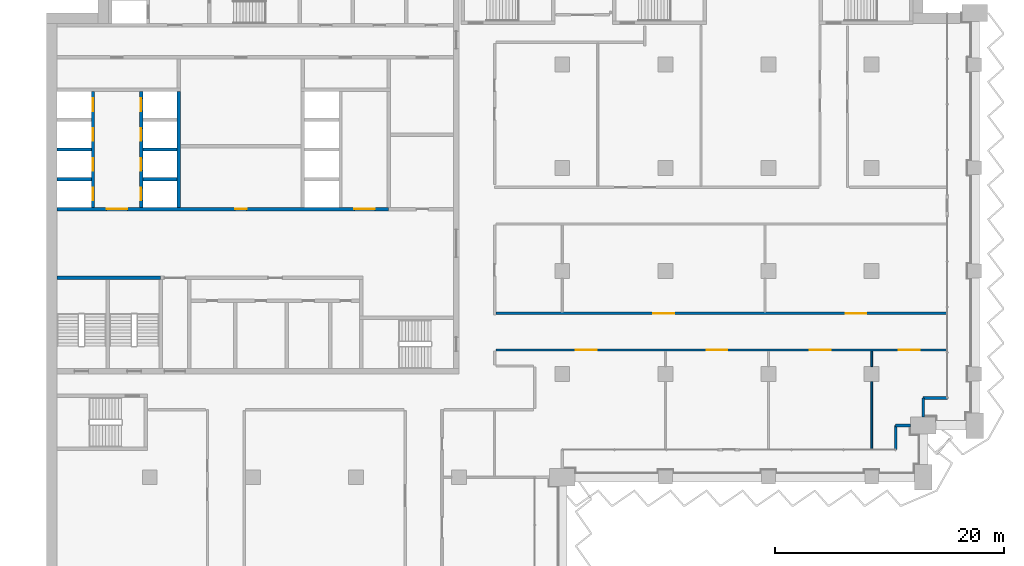
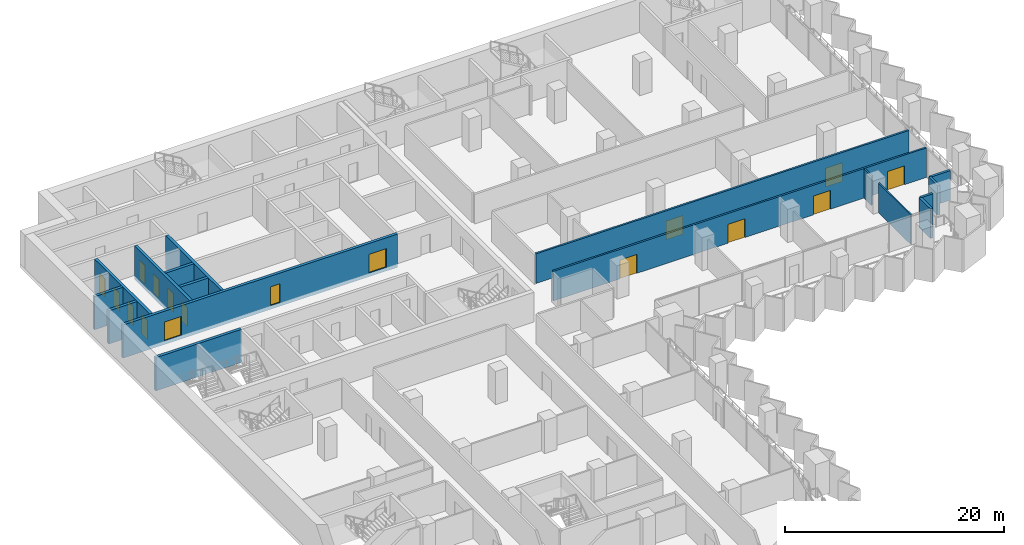
# One storey, part 12 of 23: 17 doors, 17 walls, 17 openings.
"""IFC4 building model written with IfcOpenShell, lengths in metres."""

from ifc_helpers import new_model, si_unit, direction, frame, frame_2d, origin, place, context, subcontext, project, spatial, rectangle, extrude, material, layer, layer_set, type_object, element, fill, save


model = new_model("IFC4")

# Units and contexts
model_context = context("Model", 3, precision=1e-05, world=origin(), true_north=direction((0.0, 1.0)))
body_context = subcontext(model_context, "Body", "Model", "MODEL_VIEW")
ifc_project = project(units=[si_unit("LENGTHUNIT", "METRE"), si_unit("AREAUNIT", "SQUARE_METRE"), si_unit("VOLUMEUNIT", "CUBIC_METRE"), si_unit("PLANEANGLEUNIT", "RADIAN"), si_unit("MASSUNIT", "GRAM", prefix="KILO")], contexts=[model_context])

# Site, building, storey
site_placement = place(None, origin())
site = spatial("IfcSite", under=ifc_project, at=site_placement, CompositionType="ELEMENT")
building_placement = place(site_placement, origin())
building = spatial("IfcBuilding", under=site, at=building_placement, Name="Hunhe Ridgeline Campus", CompositionType="ELEMENT")
storey_placement = place(building_placement, frame((0.0, 0.0, 110.699951171875)))
storey = spatial("IfcBuildingStorey", under=building, at=storey_placement, Name="L27", CompositionType="ELEMENT", Elevation=110.699951171875)

# Walls
ifc_material_1 = material(Name="Concrete C30", Category="concrete")
ifc_layer_1 = layer(ifc_material_1, 0.25)
ifc_layer_set_1 = layer_set([ifc_layer_1], Name="Corner return wall 250 Concrete C30")
wall_type_1 = type_object("IfcWallType", Name="Corner return wall 250 Concrete C30", PredefinedType="SOLIDWALL", material=ifc_layer_set_1)
wall_1_placement = place(storey_placement, frame((74.09912109375, 56.40087890625, 0.0), z_axis=(0.0, 0.0, 1.0), x_axis=(0.00011626555, 0.999999993241, 0.0)))
element("IfcWall", 1, at=wall_1_placement, inside=storey, type_object=wall_type_1, Name="Corner return wall 4", PredefinedType="SOLIDWALL", context=body_context, shape_type="SweptSolid", body=[
    extrude(rectangle(XDim=2.099853515625, YDim=0.25, at=frame_2d((1.0498046875, 0.0))), origin(), (0.0, 0.0, 1.0), 3.300048828125),
])
wall_2_placement = place(storey_placement, frame((74.099365234375, 58.500732421875, 0.0), z_axis=(0.0, 0.0, 1.0), x_axis=(0.99999998238, 0.000187722918, 0.0)))
element("IfcWall", 2, at=wall_2_placement, inside=storey, type_object=wall_type_1, Name="Corner return wall 5", PredefinedType="SOLIDWALL", context=body_context, shape_type="SweptSolid", body=[
    extrude(rectangle(XDim=1.300537109375, YDim=0.25, at=frame_2d((0.650390625, 0.0))), origin(), (0.0, 0.0, 1.0), 3.300048828125),
])
wall_3_placement = place(storey_placement, frame((76.4990234375, 59.25, 0.0), z_axis=(0.0, 0.0, 1.0), x_axis=(0.000147907113, 0.999999989062, 0.0)))
element("IfcWall", 3, at=wall_3_placement, inside=storey, type_object=wall_type_1, Name="Corner return wall 6", PredefinedType="SOLIDWALL", context=body_context, shape_type="SweptSolid", body=[
    extrude(rectangle(XDim=1.650634765625, YDim=0.25, at=frame_2d((0.8251953125, 0.0))), origin(), (0.0, 0.0, 1.0), 3.300048828125),
])
wall_4_placement = place(storey_placement, frame((76.499267578125, 60.900634765625, 0.0), z_axis=(0.0, 0.0, 1.0), x_axis=(0.999999993241, 0.00011626555, 0.0)))
element("IfcWall", 4, at=wall_4_placement, inside=storey, type_object=wall_type_1, Name="Corner return wall 7", PredefinedType="SOLIDWALL", context=body_context, shape_type="SweptSolid", body=[
    extrude(rectangle(XDim=2.099853515625, YDim=0.25, at=frame_2d((1.0498046875, 0.0))), origin(), (0.0, 0.0, 1.0), 3.300048828125),
])

# Wall, openings, doors
ifc_material_2 = material(Name="Gypsum board partition")
ifc_layer_2 = layer(ifc_material_2, 0.199951171875)
ifc_layer_set_2 = layer_set([ifc_layer_2], Name="Corridor partition 200 gypsum board on steel studs")
wall_type_2 = type_object("IfcWallType", Name="Corridor partition 200 gypsum board on steel studs", PredefinedType="PARTITIONING", material=ifc_layer_set_2)
wall_5_placement = place(storey_placement, frame((78.544921875, 65.10009765625, 0.0), z_axis=(0.0, 0.0, 1.0), x_axis=(-1.0, 0.0, 0.0)))
wall_5 = element("IfcWall", 5, at=wall_5_placement, inside=storey, type_object=wall_type_2, Name="F-L27-wall-032", PredefinedType="PARTITIONING", context=body_context, shape_type="SweptSolid", body=[
    extrude(rectangle(XDim=39.344970703125, YDim=0.199951171875, at=frame_2d((19.67236328125, 0.0))), origin(), (0.0, 0.0, 1.0), 3.300048828125),
])
opening_1_placement = place(wall_5_placement, frame((30.552001953125, 0.0, 0.0)))
opening_1 = element("IfcOpeningElement", 6, at=opening_1_placement, cuts=wall_5, Name="Opening RD2-019", PredefinedType="OPENING", context=body_context, shape_type="SweptSolid", body=[
    extrude(rectangle(XDim=1.800048828125, YDim=2.10009765625, at=frame_2d((0.89990234375, 1.050048828125))), frame((0.0, 0.10009765625, 0.0), z_axis=(0.0, -1.0, 0.0), x_axis=(1.0, 0.0, 0.0)), (0.0, 0.0, 1.0), 0.199951171875),
])
opening_2_placement = place(wall_5_placement, frame((19.1484375, 0.0, 0.0)))
opening_2 = element("IfcOpeningElement", 7, at=opening_2_placement, cuts=wall_5, Name="Opening RD2-020", PredefinedType="OPENING", context=body_context, shape_type="SweptSolid", body=[
    extrude(rectangle(XDim=1.800048828125, YDim=2.10009765625, at=frame_2d((0.89990234375, 1.050048828125))), frame((0.0, 0.10009765625, 0.0), z_axis=(0.0, -1.0, 0.0), x_axis=(1.0, 0.0, 0.0)), (0.0, 0.0, 1.0), 0.199951171875),
])
opening_3_placement = place(wall_5_placement, frame((10.126708984375, 0.0, 0.0)))
opening_3 = element("IfcOpeningElement", 8, at=opening_3_placement, cuts=wall_5, Name="Opening RD2-021", PredefinedType="OPENING", context=body_context, shape_type="SweptSolid", body=[
    extrude(rectangle(XDim=1.800048828125, YDim=2.10009765625, at=frame_2d((0.89990234375, 1.050048828125))), frame((0.0, 0.10009765625, 0.0), z_axis=(0.0, -1.0, 0.0), x_axis=(1.0, 0.0, 0.0)), (0.0, 0.0, 1.0), 0.199951171875),
])
opening_4_placement = place(wall_5_placement, frame((2.35791015625, 0.0, 0.0)))
opening_4 = element("IfcOpeningElement", 9, at=opening_4_placement, cuts=wall_5, Name="Opening RD2-022", PredefinedType="OPENING", context=body_context, shape_type="SweptSolid", body=[
    extrude(rectangle(XDim=1.800048828125, YDim=2.10009765625, at=frame_2d((0.89990234375, 1.050048828125))), frame((0.0, 0.10009765625, 0.0), z_axis=(0.0, -1.0, 0.0), x_axis=(1.0, 0.0, 0.0)), (0.0, 0.0, 1.0), 0.199951171875),
])
ifc_material_3 = material(Name="Timber door leaf", Category="wood")
door_type_1 = type_object("IfcDoorType", Name="Double fire door 1800x2100 timber FD60", OperationType="DOUBLE_DOOR_SINGLE_SWING", PredefinedType="DOOR", material=ifc_material_3)
door_1_placement = place(opening_1_placement, origin())
door_1 = element("IfcDoor", 10, at=door_1_placement, inside=storey, type_object=door_type_1, Name="F-L27-door-019", OperationType="DOUBLE_DOOR_SINGLE_SWING", OverallHeight=2.10009765625, OverallWidth=1.800048828125, PredefinedType="DOOR", context=body_context, shape_type="SweptSolid", body=[
    extrude(rectangle(XDim=1.800048828125, YDim=2.10009765625, at=frame_2d((0.89990234375, 1.050048828125))), frame((0.0, 0.02490234375, 0.0), z_axis=(0.0, -1.0, 0.0), x_axis=(1.0, 0.0, 0.0)), (0.0, 0.0, 1.0), 0.050048828125),
])
fill(opening_1, door_1)
door_2_placement = place(opening_2_placement, origin())
door_2 = element("IfcDoor", 11, at=door_2_placement, inside=storey, type_object=door_type_1, Name="F-L27-door-020", OperationType="DOUBLE_DOOR_SINGLE_SWING", OverallHeight=2.10009765625, OverallWidth=1.800048828125, PredefinedType="DOOR", context=body_context, shape_type="SweptSolid", body=[
    extrude(rectangle(XDim=1.800048828125, YDim=2.10009765625, at=frame_2d((0.89990234375, 1.050048828125))), frame((0.0, 0.02490234375, 0.0), z_axis=(0.0, -1.0, 0.0), x_axis=(1.0, 0.0, 0.0)), (0.0, 0.0, 1.0), 0.050048828125),
])
fill(opening_2, door_2)
door_3_placement = place(opening_3_placement, origin())
door_3 = element("IfcDoor", 12, at=door_3_placement, inside=storey, type_object=door_type_1, Name="F-L27-door-021", OperationType="DOUBLE_DOOR_SINGLE_SWING", OverallHeight=2.10009765625, OverallWidth=1.800048828125, PredefinedType="DOOR", context=body_context, shape_type="SweptSolid", body=[
    extrude(rectangle(XDim=1.800048828125, YDim=2.10009765625, at=frame_2d((0.89990234375, 1.050048828125))), frame((0.0, 0.02490234375, 0.0), z_axis=(0.0, -1.0, 0.0), x_axis=(1.0, 0.0, 0.0)), (0.0, 0.0, 1.0), 0.050048828125),
])
fill(opening_3, door_3)
door_4_placement = place(opening_4_placement, origin())
door_4 = element("IfcDoor", 13, at=door_4_placement, inside=storey, type_object=door_type_1, Name="F-L27-door-022", OperationType="DOUBLE_DOOR_SINGLE_SWING", OverallHeight=2.10009765625, OverallWidth=1.800048828125, PredefinedType="DOOR", context=body_context, shape_type="SweptSolid", body=[
    extrude(rectangle(XDim=1.800048828125, YDim=2.10009765625, at=frame_2d((0.89990234375, 1.050048828125))), frame((0.0, 0.02490234375, 0.0), z_axis=(0.0, -1.0, 0.0), x_axis=(1.0, 0.0, 0.0)), (0.0, 0.0, 1.0), 0.050048828125),
])
fill(opening_4, door_4)

wall_6_placement = place(storey_placement, frame((39.199951171875, 68.300048828125, 0.0), z_axis=(0.0, 0.0, 1.0), x_axis=(1.0, 0.0, 0.0)))
wall_6 = element("IfcWall", 14, at=wall_6_placement, inside=storey, type_object=wall_type_2, Name="F-L27-wall-033", PredefinedType="PARTITIONING", context=body_context, shape_type="SweptSolid", body=[
    extrude(rectangle(XDim=39.344970703125, YDim=0.199951171875, at=frame_2d((19.67236328125, 0.0))), origin(), (0.0, 0.0, 1.0), 3.300048828125),
])
opening_5_placement = place(wall_6_placement, frame((13.760498046875, 0.0, 0.0)))
opening_5 = element("IfcOpeningElement", 15, at=opening_5_placement, cuts=wall_6, Name="Opening RD2-023", PredefinedType="OPENING", context=body_context, shape_type="SweptSolid", body=[
    extrude(rectangle(XDim=1.800048828125, YDim=2.10009765625, at=frame_2d((0.89990234375, 1.050048828125))), frame((0.0, 0.10009765625, 0.0), z_axis=(0.0, -1.0, 0.0), x_axis=(1.0, 0.0, 0.0)), (0.0, 0.0, 1.0), 0.199951171875),
])
opening_6_placement = place(wall_6_placement, frame((30.55078125, 0.0, 0.0)))
opening_6 = element("IfcOpeningElement", 16, at=opening_6_placement, cuts=wall_6, Name="Opening RD2-024", PredefinedType="OPENING", context=body_context, shape_type="SweptSolid", body=[
    extrude(rectangle(XDim=1.800048828125, YDim=2.10009765625, at=frame_2d((0.89990234375, 1.050048828125))), frame((0.0, 0.10009765625, 0.0), z_axis=(0.0, -1.0, 0.0), x_axis=(1.0, 0.0, 0.0)), (0.0, 0.0, 1.0), 0.199951171875),
])
door_5_placement = place(opening_5_placement, origin())
door_5 = element("IfcDoor", 17, at=door_5_placement, inside=storey, type_object=door_type_1, Name="F-L27-door-023", OperationType="DOUBLE_DOOR_SINGLE_SWING", OverallHeight=2.10009765625, OverallWidth=1.800048828125, PredefinedType="DOOR", context=body_context, shape_type="SweptSolid", body=[
    extrude(rectangle(XDim=1.800048828125, YDim=2.10009765625, at=frame_2d((0.89990234375, 1.050048828125))), frame((0.0, 0.02490234375, 0.0), z_axis=(0.0, -1.0, 0.0), x_axis=(1.0, 0.0, 0.0)), (0.0, 0.0, 1.0), 0.050048828125),
])
fill(opening_5, door_5)
door_6_placement = place(opening_6_placement, origin())
door_6 = element("IfcDoor", 18, at=door_6_placement, inside=storey, type_object=door_type_1, Name="F-L27-door-024", OperationType="DOUBLE_DOOR_SINGLE_SWING", OverallHeight=2.10009765625, OverallWidth=1.800048828125, PredefinedType="DOOR", context=body_context, shape_type="SweptSolid", body=[
    extrude(rectangle(XDim=1.800048828125, YDim=2.10009765625, at=frame_2d((0.89990234375, 1.050048828125))), frame((0.0, 0.02490234375, 0.0), z_axis=(0.0, -1.0, 0.0), x_axis=(1.0, 0.0, 0.0)), (0.0, 0.0, 1.0), 0.050048828125),
])
fill(opening_6, door_6)

# Walls
ifc_layer_3 = layer(ifc_material_2, 0.14990234375)
ifc_layer_set_3 = layer_set([ifc_layer_3], Name="Room partition 150 gypsum board on steel studs")
wall_type_3 = type_object("IfcWallType", Name="Room partition 150 gypsum board on steel studs", PredefinedType="PARTITIONING", material=ifc_layer_set_3)
wall_7_placement = place(storey_placement, frame((72.0, 62.35009765625, 0.0), z_axis=(0.0, 0.0, 1.0), x_axis=(0.0, -1.0, 0.0)))
element("IfcWall", 19, at=wall_7_placement, inside=storey, type_object=wall_type_3, Name="F-L27-wall-066", PredefinedType="PARTITIONING", context=body_context, shape_type="SweptSolid", body=[
    extrude(rectangle(XDim=5.89501953125, YDim=0.14990234375, at=frame_2d((2.947509765625, 0.0))), origin(), (0.0, 0.0, 1.0), 3.300048828125),
])
wall_8_placement = place(storey_placement, frame((72.0, 65.0, 0.0), z_axis=(0.0, 0.0, 1.0), x_axis=(0.0, -1.0, 0.0)))
element("IfcWall", 20, at=wall_8_placement, inside=storey, type_object=wall_type_3, Name="F-L27-wall-067", PredefinedType="PARTITIONING", context=body_context, shape_type="SweptSolid", body=[
    extrude(rectangle(XDim=1.35009765625, YDim=0.14990234375, at=frame_2d((0.675048828125, 0.0))), origin(), (0.0, 0.0, 1.0), 3.300048828125),
])

# Wall, openings, doors
ifc_material_4 = material(Name="Concrete C80", Category="concrete")
ifc_layer_4 = layer(ifc_material_4, 0.300048828125)
ifc_layer_set_4 = layer_set([ifc_layer_4], Name="Shaft wall 300 reinforced concrete C80")
wall_type_4 = type_object("IfcWallType", Name="Shaft wall 300 reinforced concrete C80", PredefinedType="SOLIDWALL", material=ifc_layer_set_4)
wall_9_placement = place(storey_placement, frame((0.89990234375, 77.39990234375, -0.39990234375), z_axis=(0.0, 0.0, 1.0), x_axis=(1.0, 0.0, 0.0)))
wall_9 = element("IfcWall", 21, at=wall_9_placement, inside=storey, type_object=wall_type_4, Name="L27 core wall 12", PredefinedType="SOLIDWALL", context=body_context, shape_type="SweptSolid", body=[
    extrude(rectangle(XDim=28.9501953125, YDim=0.300048828125, at=frame_2d((14.47509765625, 0.0))), origin(), (0.0, 0.0, 1.0), 3.699951171875),
])
opening_7_placement = place(wall_9_placement, frame((4.35009765625, 0.0, 0.39990234375)))
opening_7 = element("IfcOpeningElement", 22, at=opening_7_placement, cuts=wall_9, Name="Opening CD1", PredefinedType="OPENING", context=body_context, shape_type="SweptSolid", body=[
    extrude(rectangle(XDim=1.800048828125, YDim=2.10009765625, at=frame_2d((0.89990234375, 1.050048828125))), frame((0.0, 0.14990234375, 0.0), z_axis=(0.0, -1.0, 0.0), x_axis=(1.0, 0.0, 0.0)), (0.0, 0.0, 1.0), 0.300048828125),
])
opening_8_placement = place(wall_9_placement, frame((25.949951171875, 0.0, 0.39990234375)))
opening_8 = element("IfcOpeningElement", 23, at=opening_8_placement, cuts=wall_9, Name="Opening CD2", PredefinedType="OPENING", context=body_context, shape_type="SweptSolid", body=[
    extrude(rectangle(XDim=1.800048828125, YDim=2.10009765625, at=frame_2d((0.89990234375, 1.050048828125))), frame((0.0, 0.14990234375, 0.0), z_axis=(0.0, -1.0, 0.0), x_axis=(1.0, 0.0, 0.0)), (0.0, 0.0, 1.0), 0.300048828125),
])
opening_9_placement = place(wall_9_placement, frame((15.550048828125, 0.0, 0.39990234375)))
opening_9 = element("IfcOpeningElement", 24, at=opening_9_placement, cuts=wall_9, Name="Opening CD28", PredefinedType="OPENING", context=body_context, shape_type="SweptSolid", body=[
    extrude(rectangle(XDim=1.0, YDim=2.10009765625, at=frame_2d((0.5, 1.050048828125))), frame((0.0, 0.14990234375, 0.0), z_axis=(0.0, -1.0, 0.0), x_axis=(1.0, 0.0, 0.0)), (0.0, 0.0, 1.0), 0.300048828125),
])
ifc_material_5 = material(Name="Hollow metal fire door leaf")
door_type_2 = type_object("IfcDoorType", Name="Lobby door 1800x2100 FD60", OperationType="SINGLE_SWING_LEFT", PredefinedType="DOOR", material=ifc_material_5)
door_7_placement = place(opening_7_placement, frame((1.800048828125, 0.0, 0.0), z_axis=(0.0, 0.0, 1.0), x_axis=(-1.0, 0.0, 0.0)))
door_7 = element("IfcDoor", 25, at=door_7_placement, inside=storey, type_object=door_type_2, Name="L27 door LOB-LR", OperationType="SINGLE_SWING_RIGHT", OverallHeight=2.10009765625, OverallWidth=1.800048828125, PredefinedType="DOOR", context=body_context, shape_type="SweptSolid", body=[
    extrude(rectangle(XDim=1.800048828125, YDim=2.10009765625, at=frame_2d((0.89990234375, 1.050048828125))), frame((0.0, 0.02490234375, 0.0), z_axis=(0.0, -1.0, 0.0), x_axis=(1.0, 0.0, 0.0)), (0.0, 0.0, 1.0), 0.050048828125),
])
fill(opening_7, door_7)
door_8_placement = place(opening_8_placement, frame((1.800048828125, 0.0, 0.0), z_axis=(0.0, 0.0, 1.0), x_axis=(-1.0, 0.0, 0.0)))
door_8 = element("IfcDoor", 26, at=door_8_placement, inside=storey, type_object=door_type_2, Name="L27 door LOB-SH", OperationType="SINGLE_SWING_LEFT", OverallHeight=2.10009765625, OverallWidth=1.800048828125, PredefinedType="DOOR", context=body_context, shape_type="SweptSolid", body=[
    extrude(rectangle(XDim=1.800048828125, YDim=2.10009765625, at=frame_2d((0.89990234375, 1.050048828125))), frame((0.0, 0.02490234375, 0.0), z_axis=(0.0, -1.0, 0.0), x_axis=(1.0, 0.0, 0.0)), (0.0, 0.0, 1.0), 0.050048828125),
])
fill(opening_8, door_8)
ifc_material_6 = material(Name="Solid core timber door leaf", Category="wood")
door_type_3 = type_object("IfcDoorType", Name="Timber door 1000x2100", OperationType="SINGLE_SWING_LEFT", PredefinedType="DOOR", material=ifc_material_6)
door_9_placement = place(opening_9_placement, origin())
door_9 = element("IfcDoor", 27, at=door_9_placement, inside=storey, type_object=door_type_3, Name="L27 door VD-HR0", OperationType="SINGLE_SWING_LEFT", OverallHeight=2.10009765625, OverallWidth=1.0, PredefinedType="DOOR", context=body_context, shape_type="SweptSolid", body=[
    extrude(rectangle(XDim=1.0, YDim=2.10009765625, at=frame_2d((0.5, 1.050048828125))), frame((0.0, 0.02490234375, 0.0), z_axis=(0.0, -1.0, 0.0), x_axis=(1.0, 0.0, 0.0)), (0.0, 0.0, 1.0), 0.050048828125),
])
fill(opening_9, door_9)

# Walls
for number, where, z_axis, x_axis, name in (
    (28, (0.89990234375, 80.0, -0.39990234375), (0.0, 0.0, 1.0), (1.0, 0.0, 0.0), "L27 core wall 14"),
    (29, (8.39990234375, 80.0, -0.39990234375), (0.0, 0.0, 1.0), (1.0, 0.0, 0.0), "L27 core wall 15"),
    (30, (0.89990234375, 82.60009765625, -0.39990234375), (0.0, 0.0, 1.0), (1.0, 0.0, 0.0), "L27 core wall 17"),
    (31, (8.39990234375, 82.60009765625, -0.39990234375), (0.0, 0.0, 1.0), (1.0, 0.0, 0.0), "L27 core wall 18"),
):
    element("IfcWall", number, at=place(storey_placement, frame(where, z_axis=z_axis, x_axis=x_axis)), inside=storey, type_object=wall_type_4, Name=name, PredefinedType="SOLIDWALL", context=body_context, shape_type="SweptSolid", body=[
        extrude(rectangle(XDim=3.0, YDim=0.300048828125, at=frame_2d((1.5, 0.0))), origin(), (0.0, 0.0, 1.0), 3.699951171875),
    ])

# Wall, openings, doors
wall_10_placement = place(storey_placement, frame((4.050048828125, 77.550048828125, -0.39990234375), z_axis=(0.0, 0.0, 1.0), x_axis=(0.0, 1.0, 0.0)))
wall_10 = element("IfcWall", 32, at=wall_10_placement, inside=storey, type_object=wall_type_4, Name="L27 core wall 33", PredefinedType="SOLIDWALL", context=body_context, shape_type="SweptSolid", body=[
    extrude(rectangle(XDim=10.099853515625, YDim=0.300048828125, at=frame_2d((5.0498046875, 0.0))), origin(), (0.0, 0.0, 1.0), 3.699951171875),
])
opening_10_placement = place(wall_10_placement, frame((0.60009765625, 0.0, 0.39990234375)))
opening_10 = element("IfcOpeningElement", 33, at=opening_10_placement, cuts=wall_10, Name="Opening LD-LR1", PredefinedType="OPENING", context=body_context, shape_type="SweptSolid", body=[
    extrude(rectangle(XDim=1.10009765625, YDim=2.10009765625, at=frame_2d((0.550048828125, 1.050048828125))), frame((0.0, 0.14990234375, 0.0), z_axis=(0.0, -1.0, 0.0), x_axis=(1.0, 0.0, 0.0)), (0.0, 0.0, 1.0), 0.300048828125),
])
opening_11_placement = place(wall_10_placement, frame((3.199951171875, 0.0, 0.39990234375)))
opening_11 = element("IfcOpeningElement", 34, at=opening_11_placement, cuts=wall_10, Name="Opening LD-LR2", PredefinedType="OPENING", context=body_context, shape_type="SweptSolid", body=[
    extrude(rectangle(XDim=1.10009765625, YDim=2.10009765625, at=frame_2d((0.550048828125, 1.050048828125))), frame((0.0, 0.14990234375, 0.0), z_axis=(0.0, -1.0, 0.0), x_axis=(1.0, 0.0, 0.0)), (0.0, 0.0, 1.0), 0.300048828125),
])
opening_12_placement = place(wall_10_placement, frame((5.800048828125, 0.0, 0.39990234375)))
opening_12 = element("IfcOpeningElement", 35, at=opening_12_placement, cuts=wall_10, Name="Opening LD-LR3", PredefinedType="OPENING", context=body_context, shape_type="SweptSolid", body=[
    extrude(rectangle(XDim=1.10009765625, YDim=2.10009765625, at=frame_2d((0.550048828125, 1.050048828125))), frame((0.0, 0.14990234375, 0.0), z_axis=(0.0, -1.0, 0.0), x_axis=(1.0, 0.0, 0.0)), (0.0, 0.0, 1.0), 0.300048828125),
])
opening_13_placement = place(wall_10_placement, frame((8.39990234375, 0.0, 0.39990234375)))
opening_13 = element("IfcOpeningElement", 36, at=opening_13_placement, cuts=wall_10, Name="Opening LD-LR4", PredefinedType="OPENING", context=body_context, shape_type="SweptSolid", body=[
    extrude(rectangle(XDim=1.10009765625, YDim=2.10009765625, at=frame_2d((0.550048828125, 1.050048828125))), frame((0.0, 0.14990234375, 0.0), z_axis=(0.0, -1.0, 0.0), x_axis=(1.0, 0.0, 0.0)), (0.0, 0.0, 1.0), 0.300048828125),
])
ifc_material_7 = material(Name="Stainless steel sliding leaves", Category="steel")
door_type_4 = type_object("IfcDoorType", Name="Landing door 1100x2100 FD120", OperationType="SLIDING_TO_LEFT", PredefinedType="DOOR", material=ifc_material_7)
door_10_placement = place(opening_10_placement, origin())
door_10 = element("IfcDoor", 37, at=door_10_placement, inside=storey, type_object=door_type_4, Name="L27 landing door LR1", OperationType="SLIDING_TO_RIGHT", OverallHeight=2.10009765625, OverallWidth=1.10009765625, PredefinedType="DOOR", context=body_context, shape_type="SweptSolid", body=[
    extrude(rectangle(XDim=1.10009765625, YDim=2.10009765625, at=frame_2d((0.550048828125, 1.050048828125))), frame((0.0, 0.02490234375, 0.0), z_axis=(0.0, -1.0, 0.0), x_axis=(1.0, 0.0, 0.0)), (0.0, 0.0, 1.0), 0.050048828125),
])
fill(opening_10, door_10)
door_11_placement = place(opening_11_placement, origin())
door_11 = element("IfcDoor", 38, at=door_11_placement, inside=storey, type_object=door_type_4, Name="L27 landing door LR2", OperationType="SLIDING_TO_LEFT", OverallHeight=2.10009765625, OverallWidth=1.10009765625, PredefinedType="DOOR", context=body_context, shape_type="SweptSolid", body=[
    extrude(rectangle(XDim=1.10009765625, YDim=2.10009765625, at=frame_2d((0.550048828125, 1.050048828125))), frame((0.0, 0.02490234375, 0.0), z_axis=(0.0, -1.0, 0.0), x_axis=(1.0, 0.0, 0.0)), (0.0, 0.0, 1.0), 0.050048828125),
])
fill(opening_11, door_11)
door_12_placement = place(opening_12_placement, origin())
door_12 = element("IfcDoor", 39, at=door_12_placement, inside=storey, type_object=door_type_4, Name="L27 landing door LR3", OperationType="SLIDING_TO_RIGHT", OverallHeight=2.10009765625, OverallWidth=1.10009765625, PredefinedType="DOOR", context=body_context, shape_type="SweptSolid", body=[
    extrude(rectangle(XDim=1.10009765625, YDim=2.10009765625, at=frame_2d((0.550048828125, 1.050048828125))), frame((0.0, 0.02490234375, 0.0), z_axis=(0.0, -1.0, 0.0), x_axis=(1.0, 0.0, 0.0)), (0.0, 0.0, 1.0), 0.050048828125),
])
fill(opening_12, door_12)
door_13_placement = place(opening_13_placement, origin())
door_13 = element("IfcDoor", 40, at=door_13_placement, inside=storey, type_object=door_type_4, Name="L27 landing door LR4", OperationType="SLIDING_TO_LEFT", OverallHeight=2.10009765625, OverallWidth=1.10009765625, PredefinedType="DOOR", context=body_context, shape_type="SweptSolid", body=[
    extrude(rectangle(XDim=1.10009765625, YDim=2.10009765625, at=frame_2d((0.550048828125, 1.050048828125))), frame((0.0, 0.02490234375, 0.0), z_axis=(0.0, -1.0, 0.0), x_axis=(1.0, 0.0, 0.0)), (0.0, 0.0, 1.0), 0.050048828125),
])
fill(opening_13, door_13)

wall_11_placement = place(storey_placement, frame((8.25, 77.550048828125, -0.39990234375), z_axis=(0.0, 0.0, 1.0), x_axis=(0.0, 1.0, 0.0)))
wall_11 = element("IfcWall", 41, at=wall_11_placement, inside=storey, type_object=wall_type_4, Name="L27 core wall 36", PredefinedType="SOLIDWALL", context=body_context, shape_type="SweptSolid", body=[
    extrude(rectangle(XDim=10.099853515625, YDim=0.300048828125, at=frame_2d((5.0498046875, 0.0))), origin(), (0.0, 0.0, 1.0), 3.699951171875),
])
opening_14_placement = place(wall_11_placement, frame((0.60009765625, 0.0, 0.39990234375)))
opening_14 = element("IfcOpeningElement", 42, at=opening_14_placement, cuts=wall_11, Name="Opening LD-LR5", PredefinedType="OPENING", context=body_context, shape_type="SweptSolid", body=[
    extrude(rectangle(XDim=1.10009765625, YDim=2.10009765625, at=frame_2d((0.550048828125, 1.050048828125))), frame((0.0, 0.14990234375, 0.0), z_axis=(0.0, -1.0, 0.0), x_axis=(1.0, 0.0, 0.0)), (0.0, 0.0, 1.0), 0.300048828125),
])
opening_15_placement = place(wall_11_placement, frame((3.199951171875, 0.0, 0.39990234375)))
opening_15 = element("IfcOpeningElement", 43, at=opening_15_placement, cuts=wall_11, Name="Opening LD-LR6", PredefinedType="OPENING", context=body_context, shape_type="SweptSolid", body=[
    extrude(rectangle(XDim=1.10009765625, YDim=2.10009765625, at=frame_2d((0.550048828125, 1.050048828125))), frame((0.0, 0.14990234375, 0.0), z_axis=(0.0, -1.0, 0.0), x_axis=(1.0, 0.0, 0.0)), (0.0, 0.0, 1.0), 0.300048828125),
])
opening_16_placement = place(wall_11_placement, frame((5.800048828125, 0.0, 0.39990234375)))
opening_16 = element("IfcOpeningElement", 44, at=opening_16_placement, cuts=wall_11, Name="Opening LD-LR7", PredefinedType="OPENING", context=body_context, shape_type="SweptSolid", body=[
    extrude(rectangle(XDim=1.10009765625, YDim=2.10009765625, at=frame_2d((0.550048828125, 1.050048828125))), frame((0.0, 0.14990234375, 0.0), z_axis=(0.0, -1.0, 0.0), x_axis=(1.0, 0.0, 0.0)), (0.0, 0.0, 1.0), 0.300048828125),
])
opening_17_placement = place(wall_11_placement, frame((8.39990234375, 0.0, 0.39990234375)))
opening_17 = element("IfcOpeningElement", 45, at=opening_17_placement, cuts=wall_11, Name="Opening LD-LR8", PredefinedType="OPENING", context=body_context, shape_type="SweptSolid", body=[
    extrude(rectangle(XDim=1.10009765625, YDim=2.10009765625, at=frame_2d((0.550048828125, 1.050048828125))), frame((0.0, 0.14990234375, 0.0), z_axis=(0.0, -1.0, 0.0), x_axis=(1.0, 0.0, 0.0)), (0.0, 0.0, 1.0), 0.300048828125),
])
door_14_placement = place(opening_14_placement, origin())
door_14 = element("IfcDoor", 46, at=door_14_placement, inside=storey, type_object=door_type_4, Name="L27 landing door LR5", OperationType="SLIDING_TO_RIGHT", OverallHeight=2.10009765625, OverallWidth=1.10009765625, PredefinedType="DOOR", context=body_context, shape_type="SweptSolid", body=[
    extrude(rectangle(XDim=1.10009765625, YDim=2.10009765625, at=frame_2d((0.550048828125, 1.050048828125))), frame((0.0, 0.02490234375, 0.0), z_axis=(0.0, -1.0, 0.0), x_axis=(1.0, 0.0, 0.0)), (0.0, 0.0, 1.0), 0.050048828125),
])
fill(opening_14, door_14)
door_15_placement = place(opening_15_placement, origin())
door_15 = element("IfcDoor", 47, at=door_15_placement, inside=storey, type_object=door_type_4, Name="L27 landing door LR6", OperationType="SLIDING_TO_LEFT", OverallHeight=2.10009765625, OverallWidth=1.10009765625, PredefinedType="DOOR", context=body_context, shape_type="SweptSolid", body=[
    extrude(rectangle(XDim=1.10009765625, YDim=2.10009765625, at=frame_2d((0.550048828125, 1.050048828125))), frame((0.0, 0.02490234375, 0.0), z_axis=(0.0, -1.0, 0.0), x_axis=(1.0, 0.0, 0.0)), (0.0, 0.0, 1.0), 0.050048828125),
])
fill(opening_15, door_15)
door_16_placement = place(opening_16_placement, origin())
door_16 = element("IfcDoor", 48, at=door_16_placement, inside=storey, type_object=door_type_4, Name="L27 landing door LR7", OperationType="SLIDING_TO_RIGHT", OverallHeight=2.10009765625, OverallWidth=1.10009765625, PredefinedType="DOOR", context=body_context, shape_type="SweptSolid", body=[
    extrude(rectangle(XDim=1.10009765625, YDim=2.10009765625, at=frame_2d((0.550048828125, 1.050048828125))), frame((0.0, 0.02490234375, 0.0), z_axis=(0.0, -1.0, 0.0), x_axis=(1.0, 0.0, 0.0)), (0.0, 0.0, 1.0), 0.050048828125),
])
fill(opening_16, door_16)
door_17_placement = place(opening_17_placement, origin())
door_17 = element("IfcDoor", 49, at=door_17_placement, inside=storey, type_object=door_type_4, Name="L27 landing door LR8", OperationType="SLIDING_TO_LEFT", OverallHeight=2.10009765625, OverallWidth=1.10009765625, PredefinedType="DOOR", context=body_context, shape_type="SweptSolid", body=[
    extrude(rectangle(XDim=1.10009765625, YDim=2.10009765625, at=frame_2d((0.550048828125, 1.050048828125))), frame((0.0, 0.02490234375, 0.0), z_axis=(0.0, -1.0, 0.0), x_axis=(1.0, 0.0, 0.0)), (0.0, 0.0, 1.0), 0.050048828125),
])
fill(opening_17, door_17)

# Walls
wall_12_placement = place(storey_placement, frame((11.550048828125, 77.550048828125, -0.39990234375), z_axis=(0.0, 0.0, 1.0), x_axis=(0.0, 1.0, 0.0)))
element("IfcWall", 50, at=wall_12_placement, inside=storey, type_object=wall_type_4, Name="L27 core wall 41", PredefinedType="SOLIDWALL", context=body_context, shape_type="SweptSolid", body=[
    extrude(rectangle(XDim=10.099853515625, YDim=0.300048828125, at=frame_2d((5.0498046875, 0.0))), origin(), (0.0, 0.0, 1.0), 3.699951171875),
])
ifc_layer_5 = layer(ifc_material_4, 0.300048828125)
ifc_layer_set_5 = layer_set([ifc_layer_5], Name="Stair wall 300 reinforced concrete C80")
wall_type_5 = type_object("IfcWallType", Name="Stair wall 300 reinforced concrete C80", PredefinedType="SOLIDWALL", material=ifc_layer_set_5)
wall_13_placement = place(storey_placement, frame((0.89990234375, 71.39990234375, -0.39990234375), z_axis=(0.0, 0.0, 1.0), x_axis=(1.0, 0.0, 0.0)))
element("IfcWall", 51, at=wall_13_placement, inside=storey, type_object=wall_type_5, Name="L27 core wall 10", PredefinedType="SOLIDWALL", context=body_context, shape_type="SweptSolid", body=[
    extrude(rectangle(XDim=9.050048828125, YDim=0.300048828125, at=frame_2d((4.52490234375, 0.0))), origin(), (0.0, 0.0, 1.0), 3.699951171875),
])

save(model, "model.ifc")
